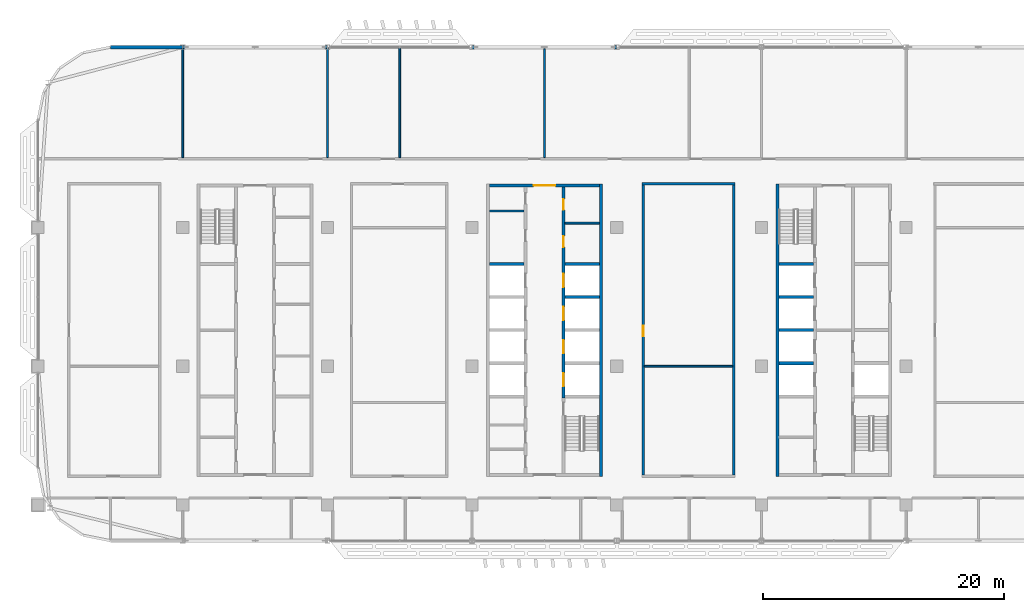
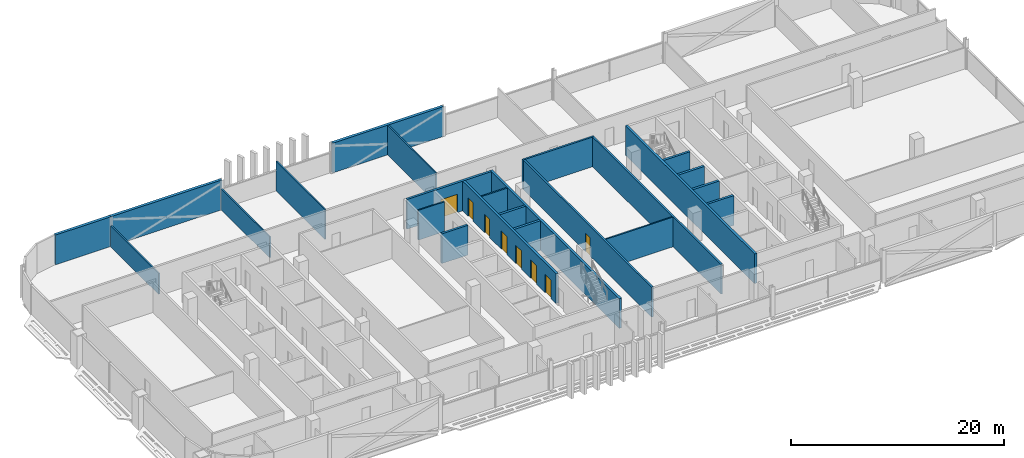
# One storey, part 19 of 33: 24 walls, 8 doors, 8 openings.
"""IFC4 building model written with IfcOpenShell, lengths in metres."""

from ifc_helpers import new_model, si_unit, direction, frame, frame_2d, origin, place, context, subcontext, project, spatial, rectangle, extrude, material, layer, layer_set, type_object, element, fill, save


model = new_model("IFC4")

# Units and contexts
model_context = context("Model", 3, precision=1e-05, world=origin(), true_north=direction((0.0, 1.0)))
body_context = subcontext(model_context, "Body", "Model", "MODEL_VIEW")
ifc_project = project(units=[si_unit("LENGTHUNIT", "METRE"), si_unit("AREAUNIT", "SQUARE_METRE"), si_unit("VOLUMEUNIT", "CUBIC_METRE"), si_unit("PLANEANGLEUNIT", "RADIAN"), si_unit("MASSUNIT", "GRAM", prefix="KILO")], contexts=[model_context])

# Site, building, storey
site_placement = place(None, origin())
site = spatial("IfcSite", under=ifc_project, at=site_placement, CompositionType="ELEMENT")
building_placement = place(site_placement, origin())
building = spatial("IfcBuilding", under=site, at=building_placement, Name="Mahtab Terrace Research Tower", CompositionType="ELEMENT")
storey_placement = place(building_placement, frame((0.0, 0.0, 255.199951171875)))
storey = spatial("IfcBuildingStorey", under=building, at=storey_placement, Name="L62", CompositionType="ELEMENT", Elevation=255.199951171875)

# Walls
ifc_material_1 = material(Name="Gypsum board partition")
ifc_layer_1 = layer(ifc_material_1, 0.14990234375)
ifc_layer_set_1 = layer_set([ifc_layer_1], Name="Core partition 150")
wall_type_1 = type_object("IfcWallType", Name="Core partition 150", PredefinedType="PARTITIONING", material=ifc_layer_set_1)
for number, where, z_axis, x_axis, name in (
    (1, (-4.550048828125, 12.875, 0.0), (0.0, 0.0, 1.0), (1.0, 0.0, 0.0), "Core wall B pWN988"),
    (2, (1.699951171875, 11.875, 0.0), (0.0, 0.0, 1.0), (1.0, 0.0, 0.0), "Core wall B pEN888"),
):
    element("IfcWall", number, at=place(storey_placement, frame(where, z_axis=z_axis, x_axis=x_axis)), inside=storey, type_object=wall_type_1, Name=name, PredefinedType="PARTITIONING", context=body_context, shape_type="SweptSolid", body=[
        extrude(rectangle(XDim=2.85009765625, YDim=0.14990234375, at=frame_2d((1.425048828125, 0.0))), origin(), (0.0, 0.0, 1.0), 3.400146484375),
    ])
ifc_material_2 = material(Name="Concrete C70/85", Category="concrete")
ifc_layer_2 = layer(ifc_material_2, 0.25)
ifc_layer_set_2 = layer_set([ifc_layer_2], Name="Core wall 250")
wall_type_2 = type_object("IfcWallType", Name="Core wall 250", PredefinedType="SOLIDWALL", material=ifc_layer_set_2)
wall_1_placement = place(storey_placement, frame((4.675048828125, -9.125, 0.0), z_axis=(0.0, 0.0, 1.0), x_axis=(0.0, 1.0, 0.0)))
element("IfcWall", 3, at=wall_1_placement, inside=storey, type_object=wall_type_2, Name="Core wall B outerE", PredefinedType="SOLIDWALL", context=body_context, shape_type="SweptSolid", body=[
    extrude(rectangle(XDim=24.25, YDim=0.25, at=frame_2d((12.125, 0.0))), origin(), (0.0, 0.0, 1.0), 3.400146484375),
])

# Wall, opening, door
wall_2_placement = place(storey_placement, frame((-4.550048828125, 15.0, 0.0), z_axis=(0.0, 0.0, 1.0), x_axis=(1.0, 0.0, 0.0)))
wall_2 = element("IfcWall", 4, at=wall_2_placement, inside=storey, type_object=wall_type_2, Name="Core wall B endN", PredefinedType="SOLIDWALL", context=body_context, shape_type="SweptSolid", body=[
    extrude(rectangle(XDim=9.10009765625, YDim=0.25, at=frame_2d((4.550048828125, 0.0))), origin(), (0.0, 0.0, 1.0), 3.400146484375),
])
opening_1_placement = place(wall_2_placement, frame((3.64990234375, 0.0, 0.0)))
opening_1 = element("IfcOpeningElement", 5, at=opening_1_placement, cuts=wall_2, Name="Opening B-N1", PredefinedType="OPENING", context=body_context, shape_type="SweptSolid", body=[
    extrude(rectangle(XDim=1.800048828125, YDim=2.10009765625, at=frame_2d((0.89990234375, 1.050048828125))), frame((0.0, 0.135009765625, 0.0), z_axis=(0.0, -1.0, 0.0), x_axis=(1.0, 0.0, 0.0)), (0.0, 0.0, 1.0), 0.27001953125),
])
ifc_material_3 = material(Name="Steel fire door", Category="steel")
door_type_1 = type_object("IfcDoorType", Name="Lobby double door 1800x2100 1 HR", OperationType="DOUBLE_DOOR_SINGLE_SWING", PredefinedType="DOOR", material=ifc_material_3)
door_1_placement = place(opening_1_placement, origin())
door_1 = element("IfcDoor", 6, at=door_1_placement, inside=storey, type_object=door_type_1, Name="Core entrance door B N", OperationType="DOUBLE_DOOR_SINGLE_SWING", OverallHeight=2.10009765625, OverallWidth=1.800048828125, PredefinedType="DOOR", context=body_context, shape_type="SweptSolid", body=[
    extrude(rectangle(XDim=1.800048828125, YDim=2.10009765625, at=frame_2d((0.89990234375, 1.050048828125))), frame((0.0, 0.02490234375, 0.0), z_axis=(0.0, -1.0, 0.0), x_axis=(1.0, 0.0, 0.0)), (0.0, 0.0, 1.0), 0.050048828125),
])
fill(opening_1, door_1)

# Wall, openings, doors
wall_3_placement = place(storey_placement, frame((1.574951171875, 14.875, 0.0), z_axis=(0.0, 0.0, 1.0), x_axis=(0.0, -1.0, 0.0)))
wall_3 = element("IfcWall", 7, at=wall_3_placement, inside=storey, type_object=wall_type_2, Name="Core wall B innerELN", PredefinedType="SOLIDWALL", context=body_context, shape_type="SweptSolid", body=[
    extrude(rectangle(XDim=17.5, YDim=0.25, at=frame_2d((8.75, 0.0))), origin(), (0.0, 0.0, 1.0), 3.400146484375),
])
opening_2_placement = place(wall_3_placement, frame((15.449951171875, 0.0, 0.0)))
opening_2 = element("IfcOpeningElement", 8, at=opening_2_placement, cuts=wall_3, Name="Opening LD13-L62", PredefinedType="OPENING", context=body_context, shape_type="SweptSolid", body=[
    extrude(rectangle(XDim=1.10009765625, YDim=2.10009765625, at=frame_2d((0.550048828125, 1.050048828125))), frame((0.0, 0.135009765625, 0.0), z_axis=(0.0, -1.0, 0.0), x_axis=(1.0, 0.0, 0.0)), (0.0, 0.0, 1.0), 0.27001953125),
])
opening_3_placement = place(wall_3_placement, frame((12.699951171875, 0.0, 0.0)))
opening_3 = element("IfcOpeningElement", 9, at=opening_3_placement, cuts=wall_3, Name="Opening LD14-L62", PredefinedType="OPENING", context=body_context, shape_type="SweptSolid", body=[
    extrude(rectangle(XDim=1.10009765625, YDim=2.10009765625, at=frame_2d((0.550048828125, 1.050048828125))), frame((0.0, 0.135009765625, 0.0), z_axis=(0.0, -1.0, 0.0), x_axis=(1.0, 0.0, 0.0)), (0.0, 0.0, 1.0), 0.27001953125),
])
opening_4_placement = place(wall_3_placement, frame((9.949951171875, 0.0, 0.0)))
opening_4 = element("IfcOpeningElement", 10, at=opening_4_placement, cuts=wall_3, Name="Opening LD15-L62", PredefinedType="OPENING", context=body_context, shape_type="SweptSolid", body=[
    extrude(rectangle(XDim=1.10009765625, YDim=2.10009765625, at=frame_2d((0.550048828125, 1.050048828125))), frame((0.0, 0.135009765625, 0.0), z_axis=(0.0, -1.0, 0.0), x_axis=(1.0, 0.0, 0.0)), (0.0, 0.0, 1.0), 0.27001953125),
])
opening_5_placement = place(wall_3_placement, frame((7.199951171875, 0.0, 0.0)))
opening_5 = element("IfcOpeningElement", 11, at=opening_5_placement, cuts=wall_3, Name="Opening LD16-L62", PredefinedType="OPENING", context=body_context, shape_type="SweptSolid", body=[
    extrude(rectangle(XDim=1.10009765625, YDim=2.10009765625, at=frame_2d((0.550048828125, 1.050048828125))), frame((0.0, 0.135009765625, 0.0), z_axis=(0.0, -1.0, 0.0), x_axis=(1.0, 0.0, 0.0)), (0.0, 0.0, 1.0), 0.27001953125),
])
opening_6_placement = place(wall_3_placement, frame((4.08740234375, 0.0, 0.0)))
opening_6 = element("IfcOpeningElement", 12, at=opening_6_placement, cuts=wall_3, Name="Opening B-R6", PredefinedType="OPENING", context=body_context, shape_type="SweptSolid", body=[
    extrude(rectangle(XDim=0.89990234375, YDim=2.10009765625, at=frame_2d((0.449951171875, 1.050048828125))), frame((0.0, 0.135009765625, 0.0), z_axis=(0.0, -1.0, 0.0), x_axis=(1.0, 0.0, 0.0)), (0.0, 0.0, 1.0), 0.27001953125),
])
opening_7_placement = place(wall_3_placement, frame((1.012451171875, 0.0, 0.0)))
opening_7 = element("IfcOpeningElement", 13, at=opening_7_placement, cuts=wall_3, Name="Opening B-R7", PredefinedType="OPENING", context=body_context, shape_type="SweptSolid", body=[
    extrude(rectangle(XDim=0.89990234375, YDim=2.10009765625, at=frame_2d((0.449951171875, 1.050048828125))), frame((0.0, 0.135009765625, 0.0), z_axis=(0.0, -1.0, 0.0), x_axis=(1.0, 0.0, 0.0)), (0.0, 0.0, 1.0), 0.27001953125),
])
ifc_material_4 = material(Name="Stainless steel AISI 304", Category="steel")
door_type_2 = type_object("IfcDoorType", Name="Landing door 1100x2100", OperationType="DOUBLE_DOOR_SLIDING", PredefinedType="DOOR", material=ifc_material_4)
door_2_placement = place(opening_2_placement, origin())
door_2 = element("IfcDoor", 14, at=door_2_placement, inside=storey, type_object=door_type_2, Name="Landing door HR5 L62", OperationType="DOUBLE_DOOR_SLIDING", OverallHeight=2.10009765625, OverallWidth=1.10009765625, PredefinedType="DOOR", context=body_context, shape_type="SweptSolid", body=[
    extrude(rectangle(XDim=1.10009765625, YDim=2.10009765625, at=frame_2d((0.550048828125, 1.050048828125))), frame((0.0, 0.02490234375, 0.0), z_axis=(0.0, -1.0, 0.0), x_axis=(1.0, 0.0, 0.0)), (0.0, 0.0, 1.0), 0.050048828125),
])
fill(opening_2, door_2)
door_3_placement = place(opening_3_placement, origin())
door_3 = element("IfcDoor", 15, at=door_3_placement, inside=storey, type_object=door_type_2, Name="Landing door HR6 L62", OperationType="DOUBLE_DOOR_SLIDING", OverallHeight=2.10009765625, OverallWidth=1.10009765625, PredefinedType="DOOR", context=body_context, shape_type="SweptSolid", body=[
    extrude(rectangle(XDim=1.10009765625, YDim=2.10009765625, at=frame_2d((0.550048828125, 1.050048828125))), frame((0.0, 0.02490234375, 0.0), z_axis=(0.0, -1.0, 0.0), x_axis=(1.0, 0.0, 0.0)), (0.0, 0.0, 1.0), 0.050048828125),
])
fill(opening_3, door_3)
door_4_placement = place(opening_4_placement, origin())
door_4 = element("IfcDoor", 16, at=door_4_placement, inside=storey, type_object=door_type_2, Name="Landing door HR7 L62", OperationType="DOUBLE_DOOR_SLIDING", OverallHeight=2.10009765625, OverallWidth=1.10009765625, PredefinedType="DOOR", context=body_context, shape_type="SweptSolid", body=[
    extrude(rectangle(XDim=1.10009765625, YDim=2.10009765625, at=frame_2d((0.550048828125, 1.050048828125))), frame((0.0, 0.02490234375, 0.0), z_axis=(0.0, -1.0, 0.0), x_axis=(1.0, 0.0, 0.0)), (0.0, 0.0, 1.0), 0.050048828125),
])
fill(opening_4, door_4)
door_5_placement = place(opening_5_placement, origin())
door_5 = element("IfcDoor", 17, at=door_5_placement, inside=storey, type_object=door_type_2, Name="Landing door HR8 L62", OperationType="DOUBLE_DOOR_SLIDING", OverallHeight=2.10009765625, OverallWidth=1.10009765625, PredefinedType="DOOR", context=body_context, shape_type="SweptSolid", body=[
    extrude(rectangle(XDim=1.10009765625, YDim=2.10009765625, at=frame_2d((0.550048828125, 1.050048828125))), frame((0.0, 0.02490234375, 0.0), z_axis=(0.0, -1.0, 0.0), x_axis=(1.0, 0.0, 0.0)), (0.0, 0.0, 1.0), 0.050048828125),
])
fill(opening_5, door_5)
door_type_3 = type_object("IfcDoorType", Name="Room door 900x2100 1 HR", OperationType="NOTDEFINED", PredefinedType="DOOR", material=ifc_material_3)
door_6_placement = place(opening_6_placement, origin())
door_6 = element("IfcDoor", 18, at=door_6_placement, inside=storey, type_object=door_type_3, Name="Staff WC door", OperationType="SINGLE_SWING_RIGHT", OverallHeight=2.10009765625, OverallWidth=0.89990234375, PredefinedType="DOOR", context=body_context, shape_type="SweptSolid", body=[
    extrude(rectangle(XDim=0.89990234375, YDim=2.10009765625, at=frame_2d((0.449951171875, 1.050048828125))), frame((0.0, 0.02490234375, 0.0), z_axis=(0.0, -1.0, 0.0), x_axis=(1.0, 0.0, 0.0)), (0.0, 0.0, 1.0), 0.050048828125),
])
fill(opening_6, door_6)
door_7_placement = place(opening_7_placement, origin())
door_7 = element("IfcDoor", 19, at=door_7_placement, inside=storey, type_object=door_type_3, Name="Accessible WC door", OperationType="SINGLE_SWING_LEFT", OverallHeight=2.10009765625, OverallWidth=0.89990234375, PredefinedType="DOOR", context=body_context, shape_type="SweptSolid", body=[
    extrude(rectangle(XDim=0.89990234375, YDim=2.10009765625, at=frame_2d((0.449951171875, 1.050048828125))), frame((0.0, 0.02490234375, 0.0), z_axis=(0.0, -1.0, 0.0), x_axis=(1.0, 0.0, 0.0)), (0.0, 0.0, 1.0), 0.050048828125),
])
fill(opening_7, door_7)

# Walls
for number, where, z_axis, x_axis, name in (
    (20, (-4.550048828125, 8.5, 0.0), (0.0, 0.0, 1.0), (1.0, 0.0, 0.0), "Core wall B divW4"),
    (21, (1.699951171875, 5.75, 0.0), (0.0, 0.0, 1.0), (1.0, 0.0, 0.0), "Core wall B divE3"),
    (22, (1.699951171875, 8.5, 0.0), (0.0, 0.0, 1.0), (1.0, 0.0, 0.0), "Core wall B divE4"),
):
    element("IfcWall", number, at=place(storey_placement, frame(where, z_axis=z_axis, x_axis=x_axis)), inside=storey, type_object=wall_type_2, Name=name, PredefinedType="SOLIDWALL", context=body_context, shape_type="SweptSolid", body=[
        extrude(rectangle(XDim=2.85009765625, YDim=0.25, at=frame_2d((1.425048828125, 0.0))), origin(), (0.0, 0.0, 1.0), 3.400146484375),
    ])
wall_4_placement = place(storey_placement, frame((19.324951171875, 15.125, 0.0), z_axis=(0.0, 0.0, 1.0), x_axis=(0.0, -1.0, 0.0)))
element("IfcWall", 23, at=wall_4_placement, inside=storey, type_object=wall_type_2, Name="Core wall C outerW", PredefinedType="SOLIDWALL", context=body_context, shape_type="SweptSolid", body=[
    extrude(rectangle(XDim=24.25, YDim=0.25, at=frame_2d((12.125, 0.0))), origin(), (0.0, 0.0, 1.0), 3.400146484375),
])
for number, where, z_axis, x_axis, name in (
    (24, (19.449951171875, 0.25, 0.0), (0.0, 0.0, 1.0), (1.0, 0.0, 0.0), "Core wall C divW1"),
    (25, (19.449951171875, 3.0, 0.0), (0.0, 0.0, 1.0), (1.0, 0.0, 0.0), "Core wall C divW2"),
    (26, (19.449951171875, 5.75, 0.0), (0.0, 0.0, 1.0), (1.0, 0.0, 0.0), "Core wall C divW3"),
    (27, (19.449951171875, 8.5, 0.0), (0.0, 0.0, 1.0), (1.0, 0.0, 0.0), "Core wall C divW4"),
):
    element("IfcWall", number, at=place(storey_placement, frame(where, z_axis=z_axis, x_axis=x_axis)), inside=storey, type_object=wall_type_2, Name=name, PredefinedType="SOLIDWALL", context=body_context, shape_type="SweptSolid", body=[
        extrude(rectangle(XDim=2.85009765625, YDim=0.25, at=frame_2d((1.425048828125, 0.0))), origin(), (0.0, 0.0, 1.0), 3.400146484375),
    ])
ifc_material_5 = material(Name="Black aluminium cladding panel", Category="aluminium")
ifc_layer_3 = layer(ifc_material_5, 0.300048828125)
ifc_layer_set_3 = layer_set([ifc_layer_3], Name="Opaque facade wall 300")
wall_type_3 = type_object("IfcWallType", Name="Opaque facade wall 300", PredefinedType="NOTDEFINED", material=ifc_layer_set_3)
for number, where, z_axis, x_axis, name in (
    (28, (5.989501953125, 26.472900390625, 0.0), (0.0, 0.0, 1.0), (-1.0, 0.0, 0.0), "Opaque facade wall L62 N8"),
    (29, (-18.010498046875, 26.472900390625, 0.0), (0.0, 0.0, 1.0), (-1.0, 0.0, 0.0), "Opaque facade wall L62 N10"),
):
    element("IfcWall", number, at=place(storey_placement, frame(where, z_axis=z_axis, x_axis=x_axis)), inside=storey, type_object=wall_type_3, Name=name, PredefinedType="NOTDEFINED", context=body_context, shape_type="SweptSolid", body=[
        extrude(rectangle(XDim=11.97900390625, YDim=0.300048828125, at=frame_2d((5.989501953125, 0.0))), origin(), (0.0, 0.0, 1.0), 3.400146484375),
    ])
wall_5_placement = place(storey_placement, frame((-30.010498046875, 26.472900390625, 0.0), z_axis=(0.0, 0.0, 1.0), x_axis=(-1.0, 0.0, 0.0)))
element("IfcWall", 30, at=wall_5_placement, inside=storey, type_object=wall_type_3, Name="Opaque facade wall L62 N11", PredefinedType="NOTDEFINED", context=body_context, shape_type="SweptSolid", body=[
    extrude(rectangle(XDim=5.989501953125, YDim=0.300048828125, at=frame_2d((2.99462890625, 0.0))), origin(), (0.0, 0.0, 1.0), 3.400146484375),
])
ifc_material_6 = material(Name="Gypsum board corridor wall on steel studs", Category="steel")
ifc_layer_4 = layer(ifc_material_6, 0.199951171875)
ifc_layer_set_4 = layer_set([ifc_layer_4], Name="WALL CORRIDOR 200")
wall_type_4 = type_object("IfcWallType", Name="WALL CORRIDOR 200", PredefinedType="PARTITIONING", material=ifc_layer_set_4)
wall_6_placement = place(storey_placement, frame((8.10009765625, 15.125, 0.0), z_axis=(0.0, 0.0, 1.0), x_axis=(1.0, 0.0, 0.0)))
element("IfcWall", 31, at=wall_6_placement, inside=storey, type_object=wall_type_4, Name="L62-W022", PredefinedType="PARTITIONING", context=body_context, shape_type="SweptSolid", body=[
    extrude(rectangle(XDim=7.699951171875, YDim=0.199951171875, at=frame_2d((3.85009765625, 0.0))), origin(), (0.0, 0.0, 1.0), 3.400146484375),
])

# Wall, opening, door
wall_7_placement = place(storey_placement, frame((8.199951171875, -9.02490234375, 0.0), z_axis=(0.0, 0.0, 1.0), x_axis=(0.0, 1.0, 0.0)))
wall_7 = element("IfcWall", 32, at=wall_7_placement, inside=storey, type_object=wall_type_4, Name="L62-W041", PredefinedType="PARTITIONING", context=body_context, shape_type="SweptSolid", body=[
    extrude(rectangle(XDim=24.0498046875, YDim=0.199951171875, at=frame_2d((12.02490234375, 0.0))), origin(), (0.0, 0.0, 1.0), 3.400146484375),
])
opening_8_placement = place(wall_7_placement, frame((11.5, 0.0, 0.0)))
opening_8 = element("IfcOpeningElement", 33, at=opening_8_placement, cuts=wall_7, Name="Opening L62-123", PredefinedType="OPENING", context=body_context, shape_type="SweptSolid", body=[
    extrude(rectangle(XDim=0.89990234375, YDim=2.10009765625, at=frame_2d((0.449951171875, 1.050048828125))), frame((0.0, 0.10986328125, 0.0), z_axis=(0.0, -1.0, 0.0), x_axis=(1.0, 0.0, 0.0)), (0.0, 0.0, 1.0), 0.219970703125),
])
ifc_material_7 = material(Name="Timber door leaf in steel frame", Category="steel")
door_type_4 = type_object("IfcDoorType", Name="DOOR 0900X2100 FD30S", OperationType="SINGLE_SWING_LEFT", PredefinedType="DOOR", material=ifc_material_7)
door_8_placement = place(opening_8_placement, origin())
door_8 = element("IfcDoor", 34, at=door_8_placement, inside=storey, type_object=door_type_4, Name="Door L62-123", OperationType="SINGLE_SWING_RIGHT", OverallHeight=2.10009765625, OverallWidth=0.89990234375, PredefinedType="DOOR", context=body_context, shape_type="SweptSolid", body=[
    extrude(rectangle(XDim=0.89990234375, YDim=2.10009765625, at=frame_2d((0.449951171875, 1.050048828125))), frame((0.0, 0.02490234375, 0.0), z_axis=(0.0, -1.0, 0.0), x_axis=(1.0, 0.0, 0.0)), (0.0, 0.0, 1.0), 0.050048828125),
])
fill(opening_8, door_8)

# Walls
wall_8_placement = place(storey_placement, frame((15.699951171875, -9.02490234375, 0.0), z_axis=(0.0, 0.0, 1.0), x_axis=(0.0, 1.0, 0.0)))
element("IfcWall", 35, at=wall_8_placement, inside=storey, type_object=wall_type_4, Name="L62-W044", PredefinedType="PARTITIONING", context=body_context, shape_type="SweptSolid", body=[
    extrude(rectangle(XDim=24.0498046875, YDim=0.199951171875, at=frame_2d((12.02490234375, 0.0))), origin(), (0.0, 0.0, 1.0), 3.400146484375),
])
ifc_material_8 = material(Name="Gypsum board partition on steel studs", Category="steel")
ifc_layer_5 = layer(ifc_material_8, 0.14990234375)
ifc_layer_set_5 = layer_set([ifc_layer_5], Name="WALL PARTITION 150")
wall_type_5 = type_object("IfcWallType", Name="WALL PARTITION 150", PredefinedType="PARTITIONING", material=ifc_layer_set_5)
wall_9_placement = place(storey_placement, frame((8.300048828125, 0.0, 0.0), z_axis=(0.0, 0.0, 1.0), x_axis=(1.0, 0.0, 0.0)))
element("IfcWall", 36, at=wall_9_placement, inside=storey, type_object=wall_type_5, Name="L62-W016", PredefinedType="PARTITIONING", context=body_context, shape_type="SweptSolid", body=[
    extrude(rectangle(XDim=7.300048828125, YDim=0.14990234375, at=frame_2d((3.64990234375, 0.0))), origin(), (0.0, 0.0, 1.0), 3.400146484375),
])
wall_10_placement = place(storey_placement, frame((-30.0, 17.300048828125, 0.0), z_axis=(0.0, 0.0, 1.0), x_axis=(0.0, 1.0, 0.0)))
element("IfcWall", 37, at=wall_10_placement, inside=storey, type_object=wall_type_5, Name="L62-W029", PredefinedType="PARTITIONING", context=body_context, shape_type="SweptSolid", body=[
    extrude(rectangle(XDim=9.02294921875, YDim=0.14990234375, at=frame_2d((4.511474609375, 0.0))), origin(), (0.0, 0.0, 1.0), 2.4013671875),
])
wall_11_placement = place(storey_placement, frame((-18.0, 17.300048828125, 0.0), z_axis=(0.0, 0.0, 1.0), x_axis=(0.0, 1.0, 0.0)))
element("IfcWall", 38, at=wall_11_placement, inside=storey, type_object=wall_type_5, Name="L62-W031", PredefinedType="PARTITIONING", context=body_context, shape_type="SweptSolid", body=[
    extrude(rectangle(XDim=9.14794921875, YDim=0.14990234375, at=frame_2d((4.573974609375, 0.0))), origin(), (0.0, 0.0, 1.0), 2.4013671875),
])
wall_12_placement = place(storey_placement, frame((-12.0, 17.300048828125, 0.0), z_axis=(0.0, 0.0, 1.0), x_axis=(0.0, 1.0, 0.0)))
element("IfcWall", 39, at=wall_12_placement, inside=storey, type_object=wall_type_5, Name="L62-W034", PredefinedType="PARTITIONING", context=body_context, shape_type="SweptSolid", body=[
    extrude(rectangle(XDim=9.14794921875, YDim=0.14990234375, at=frame_2d((4.573974609375, 0.0))), origin(), (0.0, 0.0, 1.0), 3.400146484375),
])
wall_13_placement = place(storey_placement, frame((0.0, 17.300048828125, 0.0), z_axis=(0.0, 0.0, 1.0), x_axis=(0.0, 1.0, 0.0)))
element("IfcWall", 40, at=wall_13_placement, inside=storey, type_object=wall_type_5, Name="L62-W038", PredefinedType="PARTITIONING", context=body_context, shape_type="SweptSolid", body=[
    extrude(rectangle(XDim=9.02294921875, YDim=0.14990234375, at=frame_2d((4.511474609375, 0.0))), origin(), (0.0, 0.0, 1.0), 3.400146484375),
])

save(model, "model.ifc")
